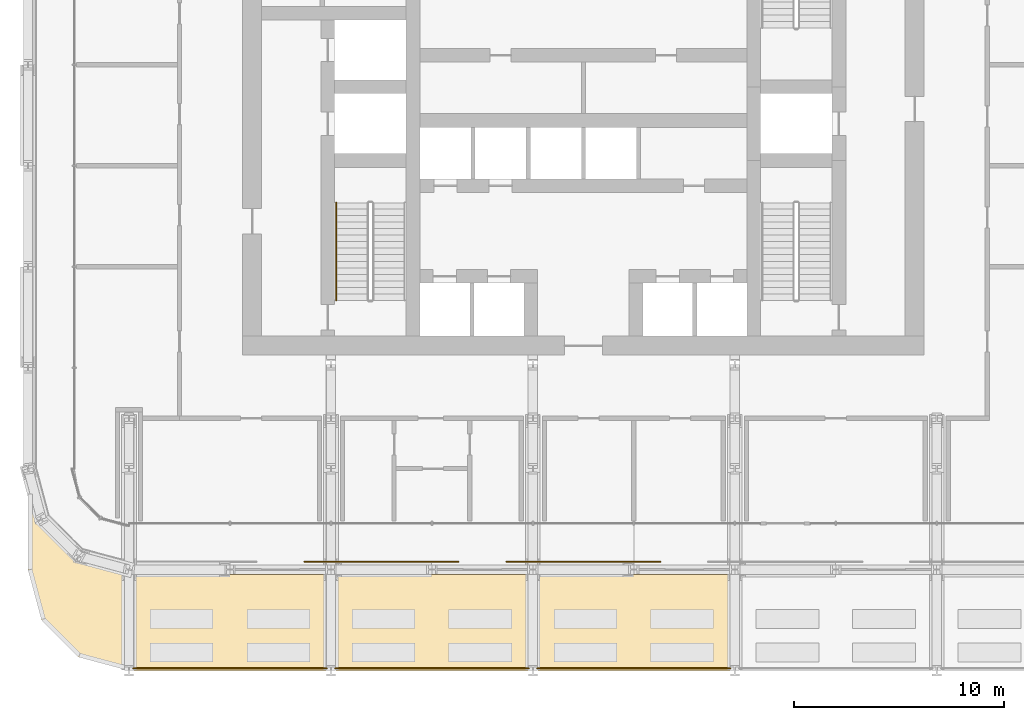
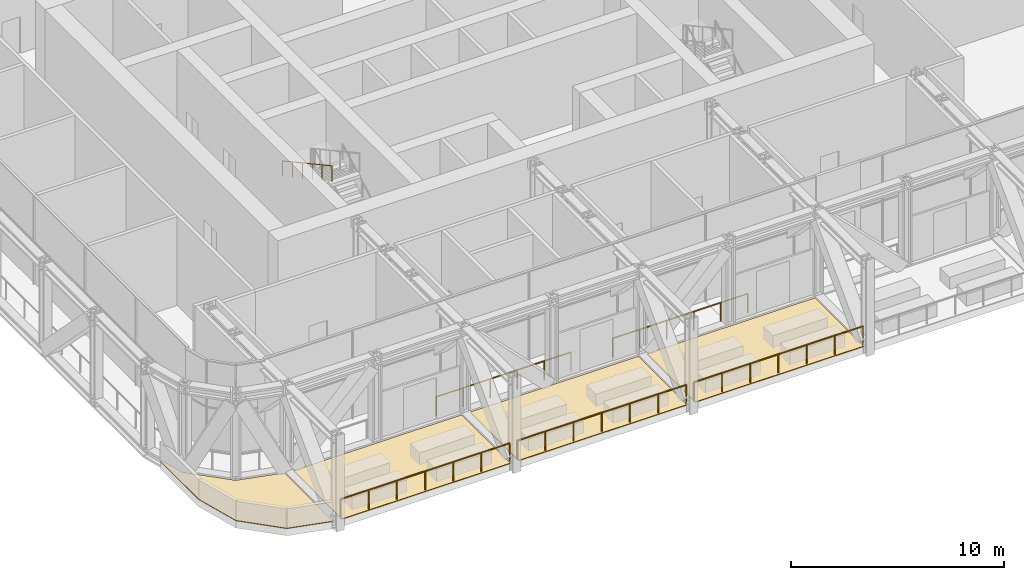
# One storey, part 19 of 23: 6 railings, 4 coverings.
"""IFC4 building model written with IfcOpenShell, lengths in metres."""

from ifc_helpers import new_model, si_unit, direction, frame, origin, origin_2d, place, context, subcontext, project, spatial, polyline, circle, outline, extrude, material, layer, layer_set, type_object, element, save


model = new_model("IFC4")

# Units and contexts
model_context = context("Model", 3, precision=1e-05, world=origin(), true_north=direction((0.0, 1.0)))
body_context = subcontext(model_context, "Body", "Model", "MODEL_VIEW")
ifc_project = project(units=[si_unit("LENGTHUNIT", "METRE"), si_unit("AREAUNIT", "SQUARE_METRE"), si_unit("VOLUMEUNIT", "CUBIC_METRE"), si_unit("PLANEANGLEUNIT", "RADIAN"), si_unit("MASSUNIT", "GRAM", prefix="KILO")], contexts=[model_context])

# Site, building, storey
site_placement = place(None, origin())
site = spatial("IfcSite", under=ifc_project, at=site_placement, CompositionType="ELEMENT")
building_placement = place(site_placement, origin())
building = spatial("IfcBuilding", under=site, at=building_placement, Name="Madar Terraces", CompositionType="ELEMENT")
storey_placement = place(building_placement, frame((0.0, 0.0, 83.800048828125)))
storey = spatial("IfcBuildingStorey", under=building, at=storey_placement, Name="L21", CompositionType="ELEMENT", Elevation=83.800048828125)

# Railings
ifc_material_1 = material(Name="Glass, safety glazing, with stainless steel posts", Category="steel")
railing_type_1 = type_object("IfcRailingType", Name="Balcony glass guard 1100", PredefinedType="GUARDRAIL", material=ifc_material_1)
railing_1_placement = place(storey_placement, frame((17.93896484375, 5.1748046875, 0.0)))
element("IfcRailing", 1, at=railing_1_placement, inside=storey, type_object=railing_type_1, Name="Gallery guard", PredefinedType="GUARDRAIL", context=body_context, shape_type="SweptSolid", body=[
    extrude(circle(Radius=0.02392578125, at=origin_2d()), frame((0.0, 0.0, 1.076171875), z_axis=(1.0, 0.0, 0.0), x_axis=(0.0, 1.0, 0.0)), (0.0, 0.0, 1.0), 7.322021484375),
    extrude(circle(Radius=0.02099609375, at=origin_2d()), origin(), (0.0, 0.0, 1.0), 1.052001953125),
    extrude(circle(Radius=0.02099609375, at=origin_2d()), frame((1.46435546875, 0.0, 0.0)), (0.0, 0.0, 1.0), 1.052001953125),
    extrude(circle(Radius=0.02099609375, at=origin_2d()), frame((2.9287109375, 0.0, 0.0)), (0.0, 0.0, 1.0), 1.052001953125),
    extrude(circle(Radius=0.02099609375, at=origin_2d()), frame((4.393310546875, 0.0, 0.0)), (0.0, 0.0, 1.0), 1.052001953125),
    extrude(circle(Radius=0.02099609375, at=origin_2d()), frame((5.857666015625, 0.0, 0.0)), (0.0, 0.0, 1.0), 1.052001953125),
    extrude(circle(Radius=0.02099609375, at=origin_2d()), frame((7.322021484375, 0.0, 0.0)), (0.0, 0.0, 1.0), 1.052001953125),
])
railing_2_placement = place(storey_placement, frame((27.538818359375, 5.1748046875, 0.0)))
element("IfcRailing", 2, at=railing_2_placement, inside=storey, type_object=railing_type_1, Name="Gallery guard", PredefinedType="GUARDRAIL", context=body_context, shape_type="SweptSolid", body=[
    extrude(circle(Radius=0.02392578125, at=origin_2d()), frame((0.0, 0.0, 1.076171875), z_axis=(1.0, 0.0, 0.0), x_axis=(0.0, 1.0, 0.0)), (0.0, 0.0, 1.0), 7.322265625),
    extrude(circle(Radius=0.02099609375, at=origin_2d()), origin(), (0.0, 0.0, 1.0), 1.052001953125),
    extrude(circle(Radius=0.02099609375, at=origin_2d()), frame((1.46435546875, 0.0, 0.0)), (0.0, 0.0, 1.0), 1.052001953125),
    extrude(circle(Radius=0.02099609375, at=origin_2d()), frame((2.928955078125, 0.0, 0.0)), (0.0, 0.0, 1.0), 1.052001953125),
    extrude(circle(Radius=0.02099609375, at=origin_2d()), frame((4.393310546875, 0.0, 0.0)), (0.0, 0.0, 1.0), 1.052001953125),
    extrude(circle(Radius=0.02099609375, at=origin_2d()), frame((5.85791015625, 0.0, 0.0)), (0.0, 0.0, 1.0), 1.052001953125),
    extrude(circle(Radius=0.02099609375, at=origin_2d()), frame((7.322265625, 0.0, 0.0)), (0.0, 0.0, 1.0), 1.052001953125),
])
for number, where, name in (
    (3, (9.8046875, 0.10009765625, 0.0400390625), "Terrace guard"),
    (4, (19.40478515625, 0.10009765625, 0.0400390625), "Terrace guard"),
    (5, (29.0048828125, 0.10009765625, 0.0400390625), "Terrace guard"),
):
    element("IfcRailing", number, at=place(storey_placement, frame(where)), inside=storey, type_object=railing_type_1, Name=name, PredefinedType="GUARDRAIL", context=body_context, shape_type="SweptSolid", body=[
        extrude(circle(Radius=0.02392578125, at=origin_2d()), frame((0.0, 0.0, 1.076171875), z_axis=(1.0, 0.0, 0.0), x_axis=(0.0, 1.0, 0.0)), (0.0, 0.0, 1.0), 9.1904296875),
        extrude(circle(Radius=0.02099609375, at=origin_2d()), origin(), (0.0, 0.0, 1.0), 1.052001953125),
        extrude(circle(Radius=0.02099609375, at=origin_2d()), frame((1.53173828125, 0.0, 0.0)), (0.0, 0.0, 1.0), 1.052001953125),
        extrude(circle(Radius=0.02099609375, at=origin_2d()), frame((3.0634765625, 0.0, 0.0)), (0.0, 0.0, 1.0), 1.052001953125),
        extrude(circle(Radius=0.02099609375, at=origin_2d()), frame((4.59521484375, 0.0, 0.0)), (0.0, 0.0, 1.0), 1.052001953125),
        extrude(circle(Radius=0.02099609375, at=origin_2d()), frame((6.126953125, 0.0, 0.0)), (0.0, 0.0, 1.0), 1.052001953125),
        extrude(circle(Radius=0.02099609375, at=origin_2d()), frame((7.65869140625, 0.0, 0.0)), (0.0, 0.0, 1.0), 1.052001953125),
        extrude(circle(Radius=0.02099609375, at=origin_2d()), frame((9.1904296875, 0.0, 0.0)), (0.0, 0.0, 1.0), 1.052001953125),
    ])
ifc_material_2 = material(Name="Stainless steel railing", Category="steel")
railing_type_2 = type_object("IfcRailingType", Name="Stair handrail 900", PredefinedType="HANDRAIL", material=ifc_material_2)
railing_3_placement = place(storey_placement, frame((19.449951171875, 22.25, 2.86865234375)))
element("IfcRailing", 6, at=railing_3_placement, inside=storey, type_object=railing_type_2, Name="L21 ST1 stair handrail 2", PredefinedType="HANDRAIL", context=body_context, shape_type="SweptSolid", body=[
    extrude(circle(Radius=0.02392578125, at=origin_2d()), frame((0.0, 0.0, 0.8759765625), z_axis=(0.0, -0.878297076953, 0.478115304728), x_axis=(1.0, 0.0, 0.0)), (0.0, 0.0, 1.0), 5.294189453125),
    extrude(circle(Radius=0.02099609375, at=origin_2d()), origin(), (0.0, 0.0, 1.0), 0.851806640625),
    extrude(circle(Radius=0.02099609375, at=origin_2d()), frame((0.0, -0.929931640625, 0.50634765625)), (0.0, 0.0, 1.0), 0.851806640625),
    extrude(circle(Radius=0.02099609375, at=origin_2d()), frame((0.0, -1.85986328125, 1.012451171875)), (0.0, 0.0, 1.0), 0.851806640625),
    extrude(circle(Radius=0.02099609375, at=origin_2d()), frame((0.0, -2.7900390625, 1.518798828125)), (0.0, 0.0, 1.0), 0.851806640625),
    extrude(circle(Radius=0.02099609375, at=origin_2d()), frame((0.0, -3.719970703125, 2.02490234375)), (0.0, 0.0, 1.0), 0.851806640625),
    extrude(circle(Radius=0.02099609375, at=origin_2d()), frame((0.0, -4.64990234375, 2.53125)), (0.0, 0.0, 1.0), 0.851806640625),
])

# Coverings
ifc_material_3 = material(Name="Porcelain paving slabs on pedestals")
ifc_layer = layer(ifc_material_3, 0.0400390625)
ifc_layer_set = layer_set([ifc_layer], Name="Terrace paving 40")
covering_type = type_object("IfcCoveringType", Name="Terrace paving 40", PredefinedType="FLOORING", material=ifc_layer_set)
covering_1_placement = place(storey_placement, origin())
element("IfcCovering", 7, at=covering_1_placement, inside=storey, type_object=covering_type, Name="Terrace paving", PredefinedType="FLOORING", context=body_context, shape_type="SweptSolid", body=[
    extrude(outline(polyline([(9.864990234375, 0.0009765625), (9.8603515625, 0.002197265625), (9.855712890625, 0.00390625), (9.851318359375, 0.005859375), (9.846923828125, 0.00830078125), (9.843017578125, 0.01123046875), (9.83935546875, 0.0146484375), (9.836181640625, 0.018310546875), (9.833251953125, 0.022216796875), (9.830810546875, 0.0263671875), (9.82861328125, 0.031005859375), (9.826904296875, 0.035400390625), (9.82568359375, 0.040283203125), (9.824951171875, 0.045166015625), (9.82470703125, 0.050048828125), (9.82470703125, 4.525146484375), (9.824951171875, 4.530029296875), (9.82568359375, 4.534912109375), (9.826904296875, 4.539794921875), (9.82861328125, 4.544189453125), (9.830810546875, 4.548828125), (9.833251953125, 4.552978515625), (9.836181640625, 4.556884765625), (9.83935546875, 4.560546875), (9.843017578125, 4.56396484375), (9.846923828125, 4.56689453125), (9.851318359375, 4.5693359375), (9.855712890625, 4.5712890625), (9.8603515625, 4.572998046875), (9.864990234375, 4.57421875), (9.869873046875, 4.574951171875), (9.874755859375, 4.5751953125), (18.92529296875, 4.5751953125), (18.93017578125, 4.574951171875), (18.93505859375, 4.57421875), (18.939697265625, 4.572998046875), (18.9443359375, 4.5712890625), (18.94873046875, 4.5693359375), (18.952880859375, 4.56689453125), (18.956787109375, 4.56396484375), (18.960693359375, 4.560546875), (18.9638671875, 4.556884765625), (18.966796875, 4.552978515625), (18.96923828125, 4.548828125), (18.971435546875, 4.544189453125), (18.97314453125, 4.539794921875), (18.97412109375, 4.534912109375), (18.97509765625, 4.530029296875), (18.97509765625, 4.525146484375), (18.97509765625, 0.050048828125), (18.97509765625, 0.045166015625), (18.97412109375, 0.040283203125), (18.97314453125, 0.035400390625), (18.971435546875, 0.031005859375), (18.96923828125, 0.0263671875), (18.966796875, 0.022216796875), (18.9638671875, 0.018310546875), (18.960693359375, 0.0146484375), (18.956787109375, 0.01123046875), (18.952880859375, 0.00830078125), (18.94873046875, 0.005859375), (18.9443359375, 0.00390625), (18.939697265625, 0.002197265625), (18.93505859375, 0.0009765625), (18.93017578125, 0.000244140625), (18.92529296875, 0.0), (9.874755859375, 0.0), (9.869873046875, 0.000244140625), (9.864990234375, 0.0009765625)])), origin(), (0.0, 0.0, 1.0), 0.0400390625),
])
covering_2_placement = place(storey_placement, origin())
element("IfcCovering", 8, at=covering_2_placement, inside=storey, type_object=covering_type, Name="Terrace paving", PredefinedType="FLOORING", context=body_context, shape_type="SweptSolid", body=[
    extrude(outline(polyline([(19.460205078125, 0.002197265625), (19.455810546875, 0.00390625), (19.451171875, 0.005859375), (19.447021484375, 0.00830078125), (19.443115234375, 0.01123046875), (19.439453125, 0.0146484375), (19.43603515625, 0.018310546875), (19.43310546875, 0.022216796875), (19.4306640625, 0.0263671875), (19.4287109375, 0.031005859375), (19.427001953125, 0.035400390625), (19.42578125, 0.040283203125), (19.425048828125, 0.045166015625), (19.4248046875, 0.050048828125), (19.4248046875, 4.525146484375), (19.425048828125, 4.530029296875), (19.42578125, 4.534912109375), (19.427001953125, 4.539794921875), (19.4287109375, 4.544189453125), (19.4306640625, 4.548828125), (19.43310546875, 4.552978515625), (19.43603515625, 4.556884765625), (19.439453125, 4.560546875), (19.443115234375, 4.56396484375), (19.447021484375, 4.56689453125), (19.451171875, 4.5693359375), (19.455810546875, 4.5712890625), (19.460205078125, 4.572998046875), (19.465087890625, 4.57421875), (19.469970703125, 4.574951171875), (19.474853515625, 4.5751953125), (28.525146484375, 4.5751953125), (28.530029296875, 4.574951171875), (28.534912109375, 4.57421875), (28.539794921875, 4.572998046875), (28.544189453125, 4.5712890625), (28.548828125, 4.5693359375), (28.552978515625, 4.56689453125), (28.556884765625, 4.56396484375), (28.560546875, 4.560546875), (28.56396484375, 4.556884765625), (28.56689453125, 4.552978515625), (28.5693359375, 4.548828125), (28.5712890625, 4.544189453125), (28.572998046875, 4.539794921875), (28.57421875, 4.534912109375), (28.574951171875, 4.530029296875), (28.5751953125, 4.525146484375), (28.5751953125, 0.050048828125), (28.574951171875, 0.045166015625), (28.57421875, 0.040283203125), (28.572998046875, 0.035400390625), (28.5712890625, 0.031005859375), (28.5693359375, 0.0263671875), (28.56689453125, 0.022216796875), (28.56396484375, 0.018310546875), (28.560546875, 0.0146484375), (28.556884765625, 0.01123046875), (28.552978515625, 0.00830078125), (28.548828125, 0.005859375), (28.544189453125, 0.00390625), (28.539794921875, 0.002197265625), (28.534912109375, 0.0009765625), (28.530029296875, 0.000244140625), (28.525146484375, 0.0), (19.474853515625, 0.0), (19.469970703125, 0.000244140625), (19.465087890625, 0.0009765625), (19.460205078125, 0.002197265625)])), origin(), (0.0, 0.0, 1.0), 0.0400390625),
])
covering_3_placement = place(storey_placement, origin())
element("IfcCovering", 9, at=covering_3_placement, inside=storey, type_object=covering_type, Name="Terrace paving", PredefinedType="FLOORING", context=body_context, shape_type="SweptSolid", body=[
    extrude(outline(polyline([(29.060302734375, 0.002197265625), (29.0556640625, 0.00390625), (29.05126953125, 0.005859375), (29.047119140625, 0.00830078125), (29.043212890625, 0.01123046875), (29.039306640625, 0.0146484375), (29.0361328125, 0.018310546875), (29.033203125, 0.022216796875), (29.03076171875, 0.0263671875), (29.028564453125, 0.031005859375), (29.02685546875, 0.035400390625), (29.02587890625, 0.040283203125), (29.02490234375, 0.045166015625), (29.02490234375, 0.050048828125), (29.02490234375, 4.525146484375), (29.02490234375, 4.530029296875), (29.02587890625, 4.534912109375), (29.02685546875, 4.539794921875), (29.028564453125, 4.544189453125), (29.03076171875, 4.548828125), (29.033203125, 4.552978515625), (29.0361328125, 4.556884765625), (29.039306640625, 4.560546875), (29.043212890625, 4.56396484375), (29.047119140625, 4.56689453125), (29.05126953125, 4.5693359375), (29.0556640625, 4.5712890625), (29.060302734375, 4.572998046875), (29.06494140625, 4.57421875), (29.06982421875, 4.574951171875), (29.07470703125, 4.5751953125), (38.125244140625, 4.5751953125), (38.130126953125, 4.574951171875), (38.135009765625, 4.57421875), (38.1396484375, 4.572998046875), (38.144287109375, 4.5712890625), (38.148681640625, 4.5693359375), (38.153076171875, 4.56689453125), (38.156982421875, 4.56396484375), (38.16064453125, 4.560546875), (38.163818359375, 4.556884765625), (38.166748046875, 4.552978515625), (38.169189453125, 4.548828125), (38.17138671875, 4.544189453125), (38.173095703125, 4.539794921875), (38.17431640625, 4.534912109375), (38.175048828125, 4.530029296875), (38.17529296875, 4.525146484375), (38.17529296875, 0.050048828125), (38.175048828125, 0.045166015625), (38.17431640625, 0.040283203125), (38.173095703125, 0.035400390625), (38.17138671875, 0.031005859375), (38.169189453125, 0.0263671875), (38.166748046875, 0.022216796875), (38.163818359375, 0.018310546875), (38.16064453125, 0.0146484375), (38.156982421875, 0.01123046875), (38.153076171875, 0.00830078125), (38.148681640625, 0.005859375), (38.144287109375, 0.00390625), (38.1396484375, 0.002197265625), (38.135009765625, 0.0009765625), (38.130126953125, 0.000244140625), (38.125244140625, 0.0), (29.07470703125, 0.0), (29.06982421875, 0.000244140625), (29.06494140625, 0.0009765625), (29.060302734375, 0.002197265625)])), origin(), (0.0, 0.0, 1.0), 0.0400390625),
])
covering_4_placement = place(storey_placement, origin())
element("IfcCovering", 10, at=covering_4_placement, inside=storey, type_object=covering_type, Name="Terrace paving", PredefinedType="FLOORING", context=body_context, shape_type="SweptSolid", body=[
    extrude(outline(polyline([(7.083740234375, 5.24169921875), (7.0849609375, 5.2412109375), (9.338134765625, 4.637451171875), (9.343017578125, 4.635986328125), (9.347412109375, 4.6337890625), (9.351806640625, 4.63134765625), (9.35595703125, 4.62841796875), (9.35986328125, 4.625244140625), (9.36328125, 4.62158203125), (9.366455078125, 4.617431640625), (9.368896484375, 4.61328125), (9.37109375, 4.608642578125), (9.372802734375, 4.60400390625), (9.374267578125, 4.59912109375), (9.375, 4.59423828125), (9.375244140625, 4.589111328125), (9.375244140625, 0.12548828125), (9.375, 0.12060546875), (9.374267578125, 0.11572265625), (9.373046875, 0.111083984375), (9.37158203125, 0.106689453125), (9.369384765625, 0.102294921875), (9.3671875, 0.097900390625), (9.3642578125, 0.093994140625), (9.361083984375, 0.090576171875), (9.357421875, 0.087158203125), (9.353759765625, 0.084228515625), (9.349609375, 0.081787109375), (9.34521484375, 0.07958984375), (9.3408203125, 0.077880859375), (9.336181640625, 0.07666015625), (9.331298828125, 0.07568359375), (9.32666015625, 0.075439453125), (9.32177734375, 0.075439453125), (9.31689453125, 0.076171875), (9.312255859375, 0.0771484375), (7.212890625, 0.6396484375), (7.2080078125, 0.64111328125), (7.203125, 0.643310546875), (7.198486328125, 0.64599609375), (7.1943359375, 0.64892578125), (7.1904296875, 0.652587890625), (5.45263671875, 2.390380859375), (5.448974609375, 2.394287109375), (5.446044921875, 2.398681640625), (5.443359375, 2.4033203125), (5.441162109375, 2.407958984375), (5.439697265625, 2.412841796875), (4.8017578125, 4.793701171875), (4.80078125, 4.7978515625), (4.80029296875, 4.80224609375), (4.800048828125, 4.806640625), (4.800048828125, 8.351806640625), (4.80029296875, 8.356689453125), (4.801025390625, 8.361572265625), (4.80224609375, 8.366455078125), (4.803955078125, 8.37109375), (4.805908203125, 8.37548828125), (4.80859375, 8.379638671875), (4.8115234375, 8.3837890625), (4.81494140625, 8.387451171875), (4.818603515625, 8.390625), (4.82275390625, 8.3935546875), (4.826904296875, 8.39599609375), (4.83154296875, 8.398193359375), (4.836181640625, 8.399658203125), (4.841064453125, 8.40087890625), (4.845947265625, 8.401611328125), (4.850830078125, 8.401611328125), (4.85595703125, 8.4013671875), (4.860595703125, 8.400390625), (4.865478515625, 8.399169921875), (4.8701171875, 8.3974609375), (4.87451171875, 8.395263671875), (4.87890625, 8.392578125), (4.8828125, 8.389404296875), (4.88623046875, 8.385986328125), (4.889404296875, 8.38232421875), (4.892333984375, 8.378173828125), (4.894775390625, 8.373779296875), (4.896728515625, 8.369384765625), (4.898193359375, 8.364501953125), (5.2412109375, 7.0849609375), (5.24169921875, 7.083740234375), (5.242431640625, 7.082763671875), (7.082763671875, 5.242431640625), (7.083740234375, 5.24169921875)])), origin(), (0.0, 0.0, 1.0), 0.0400390625),
])

save(model, "model.ifc")
